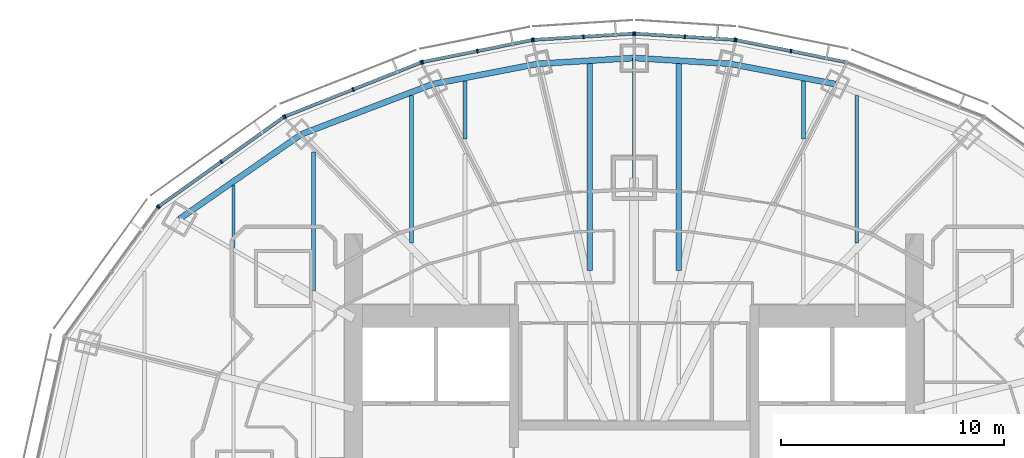
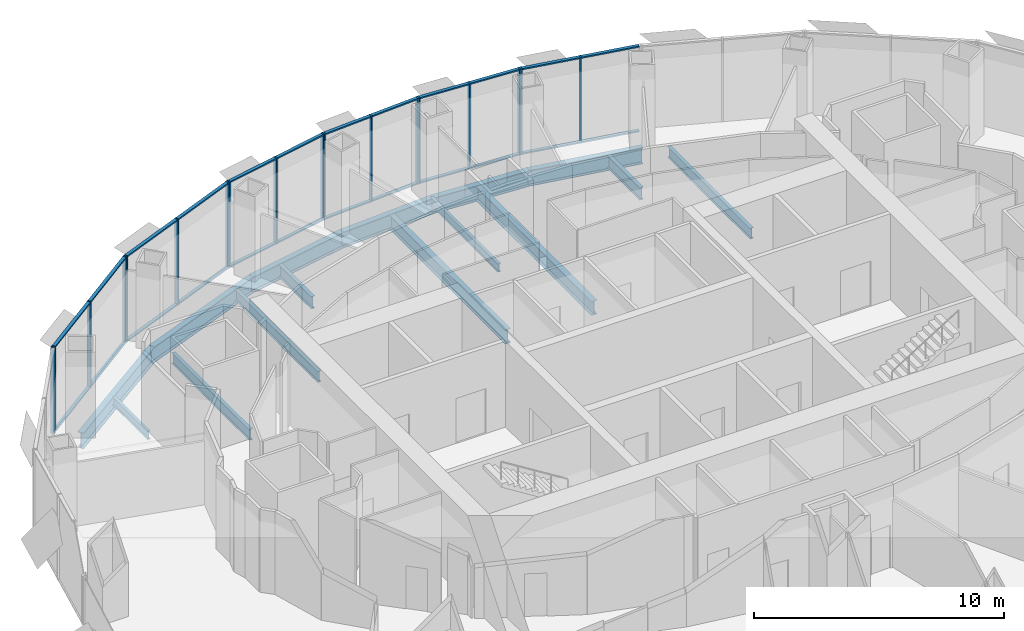
# One storey, part 8 of 19: 42 members, 15 beams, 7 elements without a shape of their own.
"""IFC4 building model written with IfcOpenShell, lengths in metres."""

from ifc_helpers import new_model, si_unit, direction, frame, origin, origin_2d, place, context, subcontext, project, spatial, rectangle, i_section, extrude, material, material_profile, profile_set, type_object, element, aggregate, save


model = new_model("IFC4")

# Units and contexts
model_context = context("Model", 3, precision=1e-05, world=origin(), true_north=direction((0.0, 1.0)))
body_context = subcontext(model_context, "Body", "Model", "MODEL_VIEW")
ifc_project = project(units=[si_unit("LENGTHUNIT", "METRE"), si_unit("AREAUNIT", "SQUARE_METRE"), si_unit("VOLUMEUNIT", "CUBIC_METRE"), si_unit("PLANEANGLEUNIT", "RADIAN"), si_unit("MASSUNIT", "GRAM", prefix="KILO")], contexts=[model_context])

# Site, building, storey
site_placement = place(None, origin())
site = spatial("IfcSite", under=ifc_project, at=site_placement, CompositionType="ELEMENT")
building_placement = place(site_placement, origin())
building = spatial("IfcBuilding", under=site, at=building_placement, Name="Lantaw Convention Tower", CompositionType="ELEMENT")
storey_placement = place(building_placement, frame((0.0, 0.0, 253.60009765625)))
storey = spatial("IfcBuildingStorey", under=building, at=storey_placement, Name="L59", CompositionType="ELEMENT", Elevation=253.60009765625)

# Beams
ifc_material_1 = material(Name="Steel ASTM A992", Category="steel")
ifc_material_profile_1 = material_profile(ifc_material_1, i_section(OverallWidth=0.2666015625, OverallDepth=0.76953125, WebThickness=0.015625, FlangeThickness=0.025390625, FilletRadius=0.0126953125, at=origin_2d()), Name="W30X132")
ifc_profile_set_1 = profile_set([ifc_material_profile_1], Name="Steel ASTM A992")
beam_type_1 = type_object("IfcBeamType", Name="Beam E W30X132", PredefinedType="SPANDREL", material=ifc_profile_set_1)
beam_1_placement = place(storey_placement, frame((9.03466796875, 17.7314453125, -0.534912109375), z_axis=(-0.981972091702, 0.189025953556, 0.0), x_axis=(-0.189025953556, -0.981972091702, 0.0)))
element("IfcBeam", 1, at=beam_1_placement, inside=storey, type_object=beam_type_1, Name="Edge beam 5", PredefinedType="SPANDREL", context=body_context, shape_type="SweptSolid", body=[
    extrude(i_section(OverallWidth=0.2666015625, OverallDepth=0.76953125, WebThickness=0.015625, FlangeThickness=0.025390625, FilletRadius=0.0126953125, at=origin_2d()), origin(), (0.0, 0.0, 1.0), 4.817626953125),
])
for number, where, z_axis, x_axis, name in (
    (2, (4.303955078125, 18.64208984375, -0.534912109375), (-0.998210730897, 0.059794119452, 0.0), (-0.059794119452, -0.998210730897, 0.0), "Edge beam 6"),
    (3, (0.0, 18.89990234375, -0.534912109375), (-0.998210730897, -0.059794119452, 0.0), (0.059794119452, -0.998210730897, 0.0), "Edge beam 7"),
):
    element("IfcBeam", number, at=place(storey_placement, frame(where, z_axis=z_axis, x_axis=x_axis)), inside=storey, type_object=beam_type_1, Name=name, PredefinedType="SPANDREL", context=body_context, shape_type="SweptSolid", body=[
        extrude(i_section(OverallWidth=0.2666015625, OverallDepth=0.76953125, WebThickness=0.015625, FlangeThickness=0.025390625, FilletRadius=0.0126953125, at=origin_2d()), origin(), (0.0, 0.0, 1.0), 4.311767578125),
    ])
beam_2_placement = place(storey_placement, frame((-4.303955078125, 18.64208984375, -0.534912109375), z_axis=(-0.981972091702, -0.189025953556, 0.0), x_axis=(0.189025953556, -0.981972091702, 0.0)))
element("IfcBeam", 4, at=beam_2_placement, inside=storey, type_object=beam_type_1, Name="Edge beam 8", PredefinedType="SPANDREL", context=body_context, shape_type="SweptSolid", body=[
    extrude(i_section(OverallWidth=0.2666015625, OverallDepth=0.76953125, WebThickness=0.015625, FlangeThickness=0.025390625, FilletRadius=0.0126953125, at=origin_2d()), origin(), (0.0, 0.0, 1.0), 4.817626953125),
])
beam_3_placement = place(storey_placement, frame((-9.03466796875, 17.7314453125, -0.534912109375), z_axis=(-0.934234988, -0.356658081637, 0.0), x_axis=(0.356658081637, -0.934234988, 0.0)))
element("IfcBeam", 5, at=beam_3_placement, inside=storey, type_object=beam_type_1, Name="Edge beam 9", PredefinedType="SPANDREL", context=body_context, shape_type="SweptSolid", body=[
    extrude(i_section(OverallWidth=0.2666015625, OverallDepth=0.76953125, WebThickness=0.015625, FlangeThickness=0.025390625, FilletRadius=0.0126953125, at=origin_2d()), origin(), (0.0, 0.0, 1.0), 6.32568359375),
])
beam_4_placement = place(storey_placement, frame((-14.9443359375, 15.475341796875, -0.534912109375), z_axis=(-0.82135329406, -0.570419815869, 0.0), x_axis=(0.570419815869, -0.82135329406, 0.0)))
element("IfcBeam", 6, at=beam_4_placement, inside=storey, type_object=beam_type_1, Name="Edge beam 10", PredefinedType="SPANDREL", context=body_context, shape_type="SweptSolid", body=[
    extrude(i_section(OverallWidth=0.2666015625, OverallDepth=0.76953125, WebThickness=0.015625, FlangeThickness=0.025390625, FilletRadius=0.0126953125, at=origin_2d()), origin(), (0.0, 0.0, 1.0), 6.67041015625),
])
ifc_material_profile_2 = material_profile(ifc_material_1, i_section(OverallWidth=0.140380859375, OverallDepth=0.40380859375, WebThickness=0.007080078125, FlangeThickness=0.01123046875, FilletRadius=0.01025390625, at=origin_2d()), Name="W16X31")
ifc_profile_set_2 = profile_set([ifc_material_profile_2], Name="Steel ASTM A992")
beam_type_2 = type_object("IfcBeamType", Name="Beam G W16X31", PredefinedType="BEAM", material=ifc_profile_set_2)
beam_5_placement = place(storey_placement, frame((0.0, 13.5, -0.35205078125), z_axis=(0.0, 1.0, 0.0), x_axis=(-1.0, 0.0, 0.0)))
element("IfcBeam", 7, at=beam_5_placement, inside=storey, type_object=beam_type_2, Name="Floor girder on ray 7", PredefinedType="BEAM", context=body_context, shape_type="SweptSolid", body=[
    extrude(i_section(OverallWidth=0.140380859375, OverallDepth=0.40380859375, WebThickness=0.007080078125, FlangeThickness=0.01123046875, FilletRadius=0.01025390625, at=origin_2d()), origin(), (0.0, 0.0, 1.0), 5.39990234375),
])
ifc_material_profile_3 = material_profile(ifc_material_1, i_section(OverallWidth=0.140380859375, OverallDepth=0.40380859375, WebThickness=0.007080078125, FlangeThickness=0.01123046875, FilletRadius=0.01025390625, at=origin_2d()), Name="W16X31")
ifc_profile_set_3 = profile_set([ifc_material_profile_3], Name="Steel ASTM A992")
beam_type_3 = type_object("IfcBeamType", Name="Beam J W16X31", PredefinedType="JOIST", material=ifc_profile_set_3)
beam_6_placement = place(storey_placement, frame((-18.0, 10.380859375, -0.35205078125), z_axis=(0.0, 1.0, 0.0), x_axis=(-1.0, 0.0, 0.0)))
element("IfcBeam", 8, at=beam_6_placement, inside=storey, type_object=beam_type_3, Name="Floor joist", PredefinedType="JOIST", context=body_context, shape_type="SweptSolid", body=[
    extrude(i_section(OverallWidth=0.140380859375, OverallDepth=0.40380859375, WebThickness=0.007080078125, FlangeThickness=0.01123046875, FilletRadius=0.01025390625, at=origin_2d()), origin(), (0.0, 0.0, 1.0), 2.81005859375),
])
ifc_material_profile_4 = material_profile(ifc_material_1, i_section(OverallWidth=0.1650390625, OverallDepth=0.52587890625, WebThickness=0.0087890625, FlangeThickness=0.011474609375, FilletRadius=0.0126953125, at=origin_2d()), Name="W21X44")
ifc_profile_set_4 = profile_set([ifc_material_profile_4], Name="Steel ASTM A992")
beam_type_4 = type_object("IfcBeamType", Name="Beam J W21X44", PredefinedType="JOIST", material=ifc_profile_set_4)
beam_7_placement = place(storey_placement, frame((-14.39990234375, 8.461181640625, -0.4130859375), z_axis=(0.0, 1.0, 0.0), x_axis=(-1.0, 0.0, 0.0)))
element("IfcBeam", 9, at=beam_7_placement, inside=storey, type_object=beam_type_4, Name="Floor joist", PredefinedType="JOIST", context=body_context, shape_type="SweptSolid", body=[
    extrude(i_section(OverallWidth=0.1650390625, OverallDepth=0.52587890625, WebThickness=0.0087890625, FlangeThickness=0.011474609375, FilletRadius=0.0126953125, at=origin_2d()), origin(), (0.0, 0.0, 1.0), 6.214599609375),
])
for number, where, z_axis, x_axis, name in (
    (10, (-10.0, 10.591064453125, -0.4130859375), (0.0, 1.0, 0.0), (-1.0, 0.0, 0.0), "Floor joist"),
    (11, (10.0, 10.591064453125, -0.4130859375), (0.0, 1.0, 0.0), (-1.0, 0.0, 0.0), "Floor joist"),
):
    element("IfcBeam", number, at=place(storey_placement, frame(where, z_axis=z_axis, x_axis=x_axis)), inside=storey, type_object=beam_type_4, Name=name, PredefinedType="JOIST", context=body_context, shape_type="SweptSolid", body=[
        extrude(i_section(OverallWidth=0.1650390625, OverallDepth=0.52587890625, WebThickness=0.0087890625, FlangeThickness=0.011474609375, FilletRadius=0.0126953125, at=origin_2d()), origin(), (0.0, 0.0, 1.0), 6.629150390625),
    ])
ifc_material_profile_5 = material_profile(ifc_material_1, i_section(OverallWidth=0.177978515625, OverallDepth=0.599365234375, WebThickness=0.010009765625, FlangeThickness=0.012939453125, FilletRadius=0.012939453125, at=origin_2d()), Name="W24X55")
ifc_profile_set_5 = profile_set([ifc_material_profile_5], Name="Steel ASTM A992")
beam_type_5 = type_object("IfcBeamType", Name="Beam J W24X55", PredefinedType="JOIST", material=ifc_profile_set_5)
for number, where, z_axis, x_axis, name in (
    (12, (-7.60009765625, 15.25439453125, -0.44970703125), (0.0, 1.0, 0.0), (-1.0, 0.0, 0.0), "Floor joist"),
    (13, (7.60009765625, 15.25439453125, -0.44970703125), (0.0, 1.0, 0.0), (-1.0, 0.0, 0.0), "Floor joist"),
):
    element("IfcBeam", number, at=place(storey_placement, frame(where, z_axis=z_axis, x_axis=x_axis)), inside=storey, type_object=beam_type_5, Name=name, PredefinedType="JOIST", context=body_context, shape_type="SweptSolid", body=[
        extrude(i_section(OverallWidth=0.177978515625, OverallDepth=0.599365234375, WebThickness=0.010009765625, FlangeThickness=0.012939453125, FilletRadius=0.012939453125, at=origin_2d()), origin(), (0.0, 0.0, 1.0), 2.617431640625),
    ])
ifc_material_profile_6 = material_profile(ifc_material_1, i_section(OverallWidth=0.25390625, OverallDepth=0.683349609375, WebThickness=0.012451171875, FlangeThickness=0.01904296875, FilletRadius=0.01513671875, at=origin_2d()), Name="W27X94")
ifc_profile_set_6 = profile_set([ifc_material_profile_6], Name="Steel ASTM A992")
beam_type_6 = type_object("IfcBeamType", Name="Beam J W27X94", PredefinedType="JOIST", material=ifc_profile_set_6)
for number, where, z_axis, x_axis, name in (
    (14, (-2.0, 9.34619140625, -0.49169921875), (0.0, 1.0, 0.0), (-1.0, 0.0, 0.0), "Floor joist"),
    (15, (2.0, 9.34619140625, -0.49169921875), (0.0, 1.0, 0.0), (-1.0, 0.0, 0.0), "Floor joist"),
):
    element("IfcBeam", number, at=place(storey_placement, frame(where, z_axis=z_axis, x_axis=x_axis)), inside=storey, type_object=beam_type_6, Name=name, PredefinedType="JOIST", context=body_context, shape_type="SweptSolid", body=[
        extrude(i_section(OverallWidth=0.25390625, OverallDepth=0.683349609375, WebThickness=0.012451171875, FlangeThickness=0.01904296875, FilletRadius=0.01513671875, at=origin_2d()), origin(), (0.0, 0.0, 1.0), 9.30029296875),
    ])

# Curtain wall, members
ifc_material_2 = material(Name="Aluminium framed curtain wall", Category="aluminium")
curtain_wall_type = type_object("IfcCurtainWallType", Name="Office curtain wall high rise, pale aluminium", PredefinedType="USERDEFINED", material=ifc_material_2)
curtain_wall_1_placement = place(storey_placement, origin())
curtain_wall_1 = element("IfcCurtainWall", 16, at=curtain_wall_1_placement, inside=storey, type_object=curtain_wall_type, Name="Office curtain wall high rise, pale aluminium L59", ObjectType="UNITISED CURTAIN WALL", PredefinedType="USERDEFINED")
ifc_material_3 = material(Name="Aluminium 6063-T6", Category="aluminium")
ifc_material_profile_7 = material_profile(ifc_material_3, rectangle(XDim=0.179931640625, YDim=0.06494140625, at=origin_2d()), Name="CW-O2 mullion 65x180")
ifc_profile_set_7 = profile_set([ifc_material_profile_7], Name="Aluminium 6063-T6")
member_type_1 = type_object("IfcMemberType", Name="CW-O2 mullion 65x180", PredefinedType="MULLION", material=ifc_profile_set_7)
member_1_placement = place(storey_placement, frame((7.042724609375, 19.212646484375, -0.150146484375), z_axis=(0.0, 0.0, 1.0), x_axis=(-0.197183095987, -0.980366679695, 0.0)))
member_1 = element("IfcMember", 17, at=member_1_placement, type_object=member_type_1, Name="CW-O2 mullion 2", PredefinedType="MULLION", context=body_context, shape_type="SweptSolid", body=[
    extrude(rectangle(XDim=0.179931640625, YDim=0.06494140625, at=origin_2d()), origin(), (0.0, 0.0, 1.0), 4.199951171875),
])
member_2_placement = place(storey_placement, frame((4.583251953125, 19.70751953125, -0.150146484375), z_axis=(0.0, 0.0, 1.0), x_axis=(-0.197183095987, -0.980366679695, 0.0)))
member_2 = element("IfcMember", 18, at=member_2_placement, type_object=member_type_1, Name="CW-O2 mullion 3", PredefinedType="MULLION", context=body_context, shape_type="SweptSolid", body=[
    extrude(rectangle(XDim=0.179931640625, YDim=0.06494140625, at=origin_2d()), origin(), (0.0, 0.0, 1.0), 4.199951171875),
])

curtain_wall_2_placement = place(storey_placement, origin())
curtain_wall_2 = element("IfcCurtainWall", 19, at=curtain_wall_2_placement, inside=storey, type_object=curtain_wall_type, Name="Office curtain wall high rise, pale aluminium L59", ObjectType="UNITISED CURTAIN WALL", PredefinedType="USERDEFINED")
member_3_placement = place(storey_placement, frame((4.518798828125, 19.7158203125, -0.150146484375), z_axis=(0.0, 0.0, 1.0), x_axis=(-0.062757983884, -0.998028774865, 0.0)))
member_3 = element("IfcMember", 20, at=member_3_placement, type_object=member_type_1, Name="CW-O2 mullion 1", PredefinedType="MULLION", context=body_context, shape_type="SweptSolid", body=[
    extrude(rectangle(XDim=0.179931640625, YDim=0.06494140625, at=origin_2d()), origin(), (0.0, 0.0, 1.0), 4.199951171875),
])
member_4_placement = place(storey_placement, frame((2.275634765625, 19.85693359375, -0.150146484375), z_axis=(0.0, 0.0, 1.0), x_axis=(-0.062757983884, -0.998028774865, 0.0)))
member_4 = element("IfcMember", 21, at=member_4_placement, type_object=member_type_1, Name="CW-O2 mullion 2", PredefinedType="MULLION", context=body_context, shape_type="SweptSolid", body=[
    extrude(rectangle(XDim=0.179931640625, YDim=0.06494140625, at=origin_2d()), origin(), (0.0, 0.0, 1.0), 4.199951171875),
])
member_5_placement = place(storey_placement, frame((0.032470703125, 19.998046875, -0.150146484375), z_axis=(0.0, 0.0, 1.0), x_axis=(-0.062757983884, -0.998028774865, 0.0)))
member_5 = element("IfcMember", 22, at=member_5_placement, type_object=member_type_1, Name="CW-O2 mullion 3", PredefinedType="MULLION", context=body_context, shape_type="SweptSolid", body=[
    extrude(rectangle(XDim=0.179931640625, YDim=0.06494140625, at=origin_2d()), origin(), (0.0, 0.0, 1.0), 4.199951171875),
])

curtain_wall_3_placement = place(storey_placement, origin())
curtain_wall_3 = element("IfcCurtainWall", 23, at=curtain_wall_3_placement, inside=storey, type_object=curtain_wall_type, Name="Office curtain wall high rise, pale aluminium L59", ObjectType="UNITISED CURTAIN WALL", PredefinedType="USERDEFINED")
member_6_placement = place(storey_placement, frame((-0.032470703125, 19.998046875, -0.150146484375), z_axis=(0.0, 0.0, 1.0), x_axis=(0.062757983884, -0.998028774865, 0.0)))
member_6 = element("IfcMember", 24, at=member_6_placement, type_object=member_type_1, Name="CW-O2 mullion 1", PredefinedType="MULLION", context=body_context, shape_type="SweptSolid", body=[
    extrude(rectangle(XDim=0.179931640625, YDim=0.06494140625, at=origin_2d()), origin(), (0.0, 0.0, 1.0), 4.199951171875),
])
member_7_placement = place(storey_placement, frame((-2.275634765625, 19.85693359375, -0.150146484375), z_axis=(0.0, 0.0, 1.0), x_axis=(0.062757983884, -0.998028774865, 0.0)))
member_7 = element("IfcMember", 25, at=member_7_placement, type_object=member_type_1, Name="CW-O2 mullion 2", PredefinedType="MULLION", context=body_context, shape_type="SweptSolid", body=[
    extrude(rectangle(XDim=0.179931640625, YDim=0.06494140625, at=origin_2d()), origin(), (0.0, 0.0, 1.0), 4.199951171875),
])
member_8_placement = place(storey_placement, frame((-4.518798828125, 19.7158203125, -0.150146484375), z_axis=(0.0, 0.0, 1.0), x_axis=(0.062757983884, -0.998028774865, 0.0)))
member_8 = element("IfcMember", 26, at=member_8_placement, type_object=member_type_1, Name="CW-O2 mullion 3", PredefinedType="MULLION", context=body_context, shape_type="SweptSolid", body=[
    extrude(rectangle(XDim=0.179931640625, YDim=0.06494140625, at=origin_2d()), origin(), (0.0, 0.0, 1.0), 4.199951171875),
])

curtain_wall_4_placement = place(storey_placement, origin())
curtain_wall_4 = element("IfcCurtainWall", 27, at=curtain_wall_4_placement, inside=storey, type_object=curtain_wall_type, Name="Office curtain wall high rise, pale aluminium L59", ObjectType="UNITISED CURTAIN WALL", PredefinedType="USERDEFINED")
member_9_placement = place(storey_placement, frame((-4.583251953125, 19.70751953125, -0.150146484375), z_axis=(0.0, 0.0, 1.0), x_axis=(0.197183095987, -0.980366679695, 0.0)))
member_9 = element("IfcMember", 28, at=member_9_placement, type_object=member_type_1, Name="CW-O2 mullion 1", PredefinedType="MULLION", context=body_context, shape_type="SweptSolid", body=[
    extrude(rectangle(XDim=0.179931640625, YDim=0.06494140625, at=origin_2d()), origin(), (0.0, 0.0, 1.0), 4.199951171875),
])
member_10_placement = place(storey_placement, frame((-7.042724609375, 19.212646484375, -0.150146484375), z_axis=(0.0, 0.0, 1.0), x_axis=(0.197183095987, -0.980366679695, 0.0)))
member_10 = element("IfcMember", 29, at=member_10_placement, type_object=member_type_1, Name="CW-O2 mullion 2", PredefinedType="MULLION", context=body_context, shape_type="SweptSolid", body=[
    extrude(rectangle(XDim=0.179931640625, YDim=0.06494140625, at=origin_2d()), origin(), (0.0, 0.0, 1.0), 4.199951171875),
])
member_11_placement = place(storey_placement, frame((-9.502197265625, 18.718017578125, -0.150146484375), z_axis=(0.0, 0.0, 1.0), x_axis=(0.197183095987, -0.980366679695, 0.0)))
member_11 = element("IfcMember", 30, at=member_11_placement, type_object=member_type_1, Name="CW-O2 mullion 3", PredefinedType="MULLION", context=body_context, shape_type="SweptSolid", body=[
    extrude(rectangle(XDim=0.179931640625, YDim=0.06494140625, at=origin_2d()), origin(), (0.0, 0.0, 1.0), 4.199951171875),
])

curtain_wall_5_placement = place(storey_placement, origin())
curtain_wall_5 = element("IfcCurtainWall", 31, at=curtain_wall_5_placement, inside=storey, type_object=curtain_wall_type, Name="Office curtain wall high rise, pale aluminium L59", ObjectType="UNITISED CURTAIN WALL", PredefinedType="USERDEFINED")
member_12_placement = place(storey_placement, frame((-9.564208984375, 18.69970703125, -0.150146484375), z_axis=(0.0, 0.0, 1.0), x_axis=(0.368162315252, -0.929761533743, 0.0)))
member_12 = element("IfcMember", 32, at=member_12_placement, type_object=member_type_1, Name="CW-O2 mullion 1", PredefinedType="MULLION", context=body_context, shape_type="SweptSolid", body=[
    extrude(rectangle(XDim=0.179931640625, YDim=0.06494140625, at=origin_2d()), origin(), (0.0, 0.0, 1.0), 4.199951171875),
])
member_13_placement = place(storey_placement, frame((-12.621337890625, 17.4892578125, -0.150146484375), z_axis=(0.0, 0.0, 1.0), x_axis=(0.368162315252, -0.929761533743, 0.0)))
member_13 = element("IfcMember", 33, at=member_13_placement, type_object=member_type_1, Name="CW-O2 mullion 2", PredefinedType="MULLION", context=body_context, shape_type="SweptSolid", body=[
    extrude(rectangle(XDim=0.179931640625, YDim=0.06494140625, at=origin_2d()), origin(), (0.0, 0.0, 1.0), 4.199951171875),
])
member_14_placement = place(storey_placement, frame((-15.67822265625, 16.278564453125, -0.150146484375), z_axis=(0.0, 0.0, 1.0), x_axis=(0.368162315252, -0.929761533743, 0.0)))
member_14 = element("IfcMember", 34, at=member_14_placement, type_object=member_type_1, Name="CW-O2 mullion 3", PredefinedType="MULLION", context=body_context, shape_type="SweptSolid", body=[
    extrude(rectangle(XDim=0.179931640625, YDim=0.06494140625, at=origin_2d()), origin(), (0.0, 0.0, 1.0), 4.199951171875),
])

curtain_wall_6_placement = place(storey_placement, origin())
curtain_wall_6 = element("IfcCurtainWall", 35, at=curtain_wall_6_placement, inside=storey, type_object=curtain_wall_type, Name="Office curtain wall high rise, pale aluminium L59", ObjectType="UNITISED CURTAIN WALL", PredefinedType="USERDEFINED")
member_15_placement = place(storey_placement, frame((-15.73486328125, 16.247802734375, -0.150146484375), z_axis=(0.0, 0.0, 1.0), x_axis=(0.581323487281, -0.813672540482, 0.0)))
member_15 = element("IfcMember", 36, at=member_15_placement, type_object=member_type_1, Name="CW-O2 mullion 1", PredefinedType="MULLION", context=body_context, shape_type="SweptSolid", body=[
    extrude(rectangle(XDim=0.179931640625, YDim=0.06494140625, at=origin_2d()), origin(), (0.0, 0.0, 1.0), 4.199951171875),
])
member_16_placement = place(storey_placement, frame((-18.543212890625, 14.241455078125, -0.150146484375), z_axis=(0.0, 0.0, 1.0), x_axis=(0.581323487281, -0.813672540482, 0.0)))
member_16 = element("IfcMember", 37, at=member_16_placement, type_object=member_type_1, Name="CW-O2 mullion 2", PredefinedType="MULLION", context=body_context, shape_type="SweptSolid", body=[
    extrude(rectangle(XDim=0.179931640625, YDim=0.06494140625, at=origin_2d()), origin(), (0.0, 0.0, 1.0), 4.199951171875),
])
member_17_placement = place(storey_placement, frame((-21.3515625, 12.23486328125, -0.150146484375), z_axis=(0.0, 0.0, 1.0), x_axis=(0.581323487281, -0.813672540482, 0.0)))
member_17 = element("IfcMember", 38, at=member_17_placement, type_object=member_type_1, Name="CW-O2 mullion 3", PredefinedType="MULLION", context=body_context, shape_type="SweptSolid", body=[
    extrude(rectangle(XDim=0.179931640625, YDim=0.06494140625, at=origin_2d()), origin(), (0.0, 0.0, 1.0), 4.199951171875),
])

# Curtain wall, member
curtain_wall_7_placement = place(storey_placement, origin())
curtain_wall_7 = element("IfcCurtainWall", 39, at=curtain_wall_7_placement, inside=storey, type_object=curtain_wall_type, Name="Office curtain wall high rise, pale aluminium L59", ObjectType="UNITISED CURTAIN WALL", PredefinedType="USERDEFINED")
member_18_placement = place(storey_placement, frame((-21.397216796875, 12.189697265625, -0.150146484375), z_axis=(0.0, 0.0, 1.0), x_axis=(0.810919559405, -0.585157643865, 0.0)))
member_18 = element("IfcMember", 40, at=member_18_placement, type_object=member_type_1, Name="CW-O2 mullion 1", PredefinedType="MULLION", context=body_context, shape_type="SweptSolid", body=[
    extrude(rectangle(XDim=0.179931640625, YDim=0.06494140625, at=origin_2d()), origin(), (0.0, 0.0, 1.0), 4.199951171875),
])
aggregate(curtain_wall_7, [member_18])

# Member
ifc_material_profile_8 = material_profile(ifc_material_3, rectangle(XDim=0.14990234375, YDim=0.06494140625, at=origin_2d()), Name="CW-O2 transom 65x150")
ifc_profile_set_8 = profile_set([ifc_material_profile_8], Name="Aluminium 6063-T6")
member_type_2 = type_object("IfcMemberType", Name="CW-O2 transom 65x150", PredefinedType="USERDEFINED", material=ifc_profile_set_8)
member_19_placement = place(storey_placement, frame((9.47021484375, 18.724365234375, -0.11767578125), z_axis=(-0.98036104319, 0.197211117829, 0.0), x_axis=(-0.197211117829, -0.98036104319, 0.0)))
member_19 = element("IfcMember", 41, at=member_19_placement, type_object=member_type_2, Name="CW-O2 transom 1.1", ObjectType="TRANSOM", PredefinedType="USERDEFINED", context=body_context, shape_type="SweptSolid", body=[
    extrude(rectangle(XDim=0.14990234375, YDim=0.06494140625, at=origin_2d()), origin(), (0.0, 0.0, 1.0), 2.44384765625),
])

member_20_placement = place(storey_placement, frame((9.47021484375, 18.724365234375, 4.017333984375), z_axis=(-0.98036104319, 0.197211117829, 0.0), x_axis=(-0.197211117829, -0.98036104319, 0.0)))
member_20 = element("IfcMember", 42, at=member_20_placement, type_object=member_type_2, Name="CW-O2 transom 1.2", ObjectType="TRANSOM", PredefinedType="USERDEFINED", context=body_context, shape_type="SweptSolid", body=[
    extrude(rectangle(XDim=0.14990234375, YDim=0.06494140625, at=origin_2d()), origin(), (0.0, 0.0, 1.0), 2.44384765625),
])

member_21_placement = place(storey_placement, frame((7.0107421875, 19.21923828125, -0.11767578125), z_axis=(-0.980380354178, 0.197115096178, 0.0), x_axis=(-0.197115096178, -0.980380354178, 0.0)))
member_21 = element("IfcMember", 43, at=member_21_placement, type_object=member_type_2, Name="CW-O2 transom 2.1", ObjectType="TRANSOM", PredefinedType="USERDEFINED", context=body_context, shape_type="SweptSolid", body=[
    extrude(rectangle(XDim=0.14990234375, YDim=0.06494140625, at=origin_2d()), origin(), (0.0, 0.0, 1.0), 2.443603515625),
])

member_22_placement = place(storey_placement, frame((7.0107421875, 19.21923828125, 4.017333984375), z_axis=(-0.980380354178, 0.197115096178, 0.0), x_axis=(-0.197115096178, -0.980380354178, 0.0)))
member_22 = element("IfcMember", 44, at=member_22_placement, type_object=member_type_2, Name="CW-O2 transom 2.2", ObjectType="TRANSOM", PredefinedType="USERDEFINED", context=body_context, shape_type="SweptSolid", body=[
    extrude(rectangle(XDim=0.14990234375, YDim=0.06494140625, at=origin_2d()), origin(), (0.0, 0.0, 1.0), 2.443603515625),
])

aggregate(curtain_wall_1, [member_1, member_2, member_19, member_20, member_21, member_22])

member_23_placement = place(storey_placement, frame((4.486328125, 19.7177734375, -0.11767578125), z_axis=(-0.998021991509, 0.062865765437, 0.0), x_axis=(-0.062865765437, -0.998021991509, 0.0)))
member_23 = element("IfcMember", 45, at=member_23_placement, type_object=member_type_2, Name="CW-O2 transom 1.1", ObjectType="TRANSOM", PredefinedType="USERDEFINED", context=body_context, shape_type="SweptSolid", body=[
    extrude(rectangle(XDim=0.14990234375, YDim=0.06494140625, at=origin_2d()), origin(), (0.0, 0.0, 1.0), 2.1826171875),
])

member_24_placement = place(storey_placement, frame((4.486328125, 19.7177734375, 4.017333984375), z_axis=(-0.998021991509, 0.062865765437, 0.0), x_axis=(-0.062865765437, -0.998021991509, 0.0)))
member_24 = element("IfcMember", 46, at=member_24_placement, type_object=member_type_2, Name="CW-O2 transom 1.2", ObjectType="TRANSOM", PredefinedType="USERDEFINED", context=body_context, shape_type="SweptSolid", body=[
    extrude(rectangle(XDim=0.14990234375, YDim=0.06494140625, at=origin_2d()), origin(), (0.0, 0.0, 1.0), 2.1826171875),
])

member_25_placement = place(storey_placement, frame((2.2431640625, 19.85888671875, -0.11767578125), z_axis=(-0.998029003644, 0.062754345555, 0.0), x_axis=(-0.062754345555, -0.998029003644, 0.0)))
member_25 = element("IfcMember", 47, at=member_25_placement, type_object=member_type_2, Name="CW-O2 transom 2.1", ObjectType="TRANSOM", PredefinedType="USERDEFINED", context=body_context, shape_type="SweptSolid", body=[
    extrude(rectangle(XDim=0.14990234375, YDim=0.06494140625, at=origin_2d()), origin(), (0.0, 0.0, 1.0), 2.1826171875),
])

member_26_placement = place(storey_placement, frame((2.2431640625, 19.85888671875, 4.017333984375), z_axis=(-0.998029003644, 0.062754345555, 0.0), x_axis=(-0.062754345555, -0.998029003644, 0.0)))
member_26 = element("IfcMember", 48, at=member_26_placement, type_object=member_type_2, Name="CW-O2 transom 2.2", ObjectType="TRANSOM", PredefinedType="USERDEFINED", context=body_context, shape_type="SweptSolid", body=[
    extrude(rectangle(XDim=0.14990234375, YDim=0.06494140625, at=origin_2d()), origin(), (0.0, 0.0, 1.0), 2.1826171875),
])

aggregate(curtain_wall_2, [member_3, member_4, member_5, member_23, member_24, member_25, member_26])

member_27_placement = place(storey_placement, frame((-0.06494140625, 19.995849609375, -0.11767578125), z_axis=(-0.998029003644, -0.062754345555, 0.0), x_axis=(0.062754345555, -0.998029003644, 0.0)))
member_27 = element("IfcMember", 49, at=member_27_placement, type_object=member_type_2, Name="CW-O2 transom 1.1", ObjectType="TRANSOM", PredefinedType="USERDEFINED", context=body_context, shape_type="SweptSolid", body=[
    extrude(rectangle(XDim=0.14990234375, YDim=0.06494140625, at=origin_2d()), origin(), (0.0, 0.0, 1.0), 2.1826171875),
])

member_28_placement = place(storey_placement, frame((-0.06494140625, 19.995849609375, 4.017333984375), z_axis=(-0.998029003644, -0.062754345555, 0.0), x_axis=(0.062754345555, -0.998029003644, 0.0)))
member_28 = element("IfcMember", 50, at=member_28_placement, type_object=member_type_2, Name="CW-O2 transom 1.2", ObjectType="TRANSOM", PredefinedType="USERDEFINED", context=body_context, shape_type="SweptSolid", body=[
    extrude(rectangle(XDim=0.14990234375, YDim=0.06494140625, at=origin_2d()), origin(), (0.0, 0.0, 1.0), 2.1826171875),
])

member_29_placement = place(storey_placement, frame((-2.30810546875, 19.85498046875, -0.11767578125), z_axis=(-0.998021991509, -0.062865765437, 0.0), x_axis=(0.062865765437, -0.998021991509, 0.0)))
member_29 = element("IfcMember", 51, at=member_29_placement, type_object=member_type_2, Name="CW-O2 transom 2.1", ObjectType="TRANSOM", PredefinedType="USERDEFINED", context=body_context, shape_type="SweptSolid", body=[
    extrude(rectangle(XDim=0.14990234375, YDim=0.06494140625, at=origin_2d()), origin(), (0.0, 0.0, 1.0), 2.1826171875),
])

member_30_placement = place(storey_placement, frame((-2.30810546875, 19.85498046875, 4.017333984375), z_axis=(-0.998021991509, -0.062865765437, 0.0), x_axis=(0.062865765437, -0.998021991509, 0.0)))
member_30 = element("IfcMember", 52, at=member_30_placement, type_object=member_type_2, Name="CW-O2 transom 2.2", ObjectType="TRANSOM", PredefinedType="USERDEFINED", context=body_context, shape_type="SweptSolid", body=[
    extrude(rectangle(XDim=0.14990234375, YDim=0.06494140625, at=origin_2d()), origin(), (0.0, 0.0, 1.0), 2.1826171875),
])

aggregate(curtain_wall_3, [member_6, member_7, member_8, member_27, member_28, member_29, member_30])

member_31_placement = place(storey_placement, frame((-4.614990234375, 19.700927734375, -0.11767578125), z_axis=(-0.980380354178, -0.197115096178, 0.0), x_axis=(0.197115096178, -0.980380354178, 0.0)))
member_31 = element("IfcMember", 53, at=member_31_placement, type_object=member_type_2, Name="CW-O2 transom 1.1", ObjectType="TRANSOM", PredefinedType="USERDEFINED", context=body_context, shape_type="SweptSolid", body=[
    extrude(rectangle(XDim=0.14990234375, YDim=0.06494140625, at=origin_2d()), origin(), (0.0, 0.0, 1.0), 2.443603515625),
])

member_32_placement = place(storey_placement, frame((-4.614990234375, 19.700927734375, 4.017333984375), z_axis=(-0.980380354178, -0.197115096178, 0.0), x_axis=(0.197115096178, -0.980380354178, 0.0)))
member_32 = element("IfcMember", 54, at=member_32_placement, type_object=member_type_2, Name="CW-O2 transom 1.2", ObjectType="TRANSOM", PredefinedType="USERDEFINED", context=body_context, shape_type="SweptSolid", body=[
    extrude(rectangle(XDim=0.14990234375, YDim=0.06494140625, at=origin_2d()), origin(), (0.0, 0.0, 1.0), 2.443603515625),
])

member_33_placement = place(storey_placement, frame((-7.074462890625, 19.206298828125, -0.11767578125), z_axis=(-0.98036104319, -0.197211117829, 0.0), x_axis=(0.197211117829, -0.98036104319, 0.0)))
member_33 = element("IfcMember", 55, at=member_33_placement, type_object=member_type_2, Name="CW-O2 transom 2.1", ObjectType="TRANSOM", PredefinedType="USERDEFINED", context=body_context, shape_type="SweptSolid", body=[
    extrude(rectangle(XDim=0.14990234375, YDim=0.06494140625, at=origin_2d()), origin(), (0.0, 0.0, 1.0), 2.44384765625),
])

member_34_placement = place(storey_placement, frame((-7.074462890625, 19.206298828125, 4.017333984375), z_axis=(-0.98036104319, -0.197211117829, 0.0), x_axis=(0.197211117829, -0.98036104319, 0.0)))
member_34 = element("IfcMember", 56, at=member_34_placement, type_object=member_type_2, Name="CW-O2 transom 2.2", ObjectType="TRANSOM", PredefinedType="USERDEFINED", context=body_context, shape_type="SweptSolid", body=[
    extrude(rectangle(XDim=0.14990234375, YDim=0.06494140625, at=origin_2d()), origin(), (0.0, 0.0, 1.0), 2.44384765625),
])

aggregate(curtain_wall_4, [member_9, member_10, member_11, member_31, member_32, member_33, member_34])

member_35_placement = place(storey_placement, frame((-9.594482421875, 18.687744140625, -0.11767578125), z_axis=(-0.929766642946, -0.368149412149, 0.0), x_axis=(0.368149412149, -0.929766642946, 0.0)))
member_35 = element("IfcMember", 57, at=member_35_placement, type_object=member_type_2, Name="CW-O2 transom 1.1", ObjectType="TRANSOM", PredefinedType="USERDEFINED", context=body_context, shape_type="SweptSolid", body=[
    extrude(rectangle(XDim=0.14990234375, YDim=0.06494140625, at=origin_2d()), origin(), (0.0, 0.0, 1.0), 3.222900390625),
])

member_36_placement = place(storey_placement, frame((-9.594482421875, 18.687744140625, 4.017333984375), z_axis=(-0.929766642946, -0.368149412149, 0.0), x_axis=(0.368149412149, -0.929766642946, 0.0)))
member_36 = element("IfcMember", 58, at=member_36_placement, type_object=member_type_2, Name="CW-O2 transom 1.2", ObjectType="TRANSOM", PredefinedType="USERDEFINED", context=body_context, shape_type="SweptSolid", body=[
    extrude(rectangle(XDim=0.14990234375, YDim=0.06494140625, at=origin_2d()), origin(), (0.0, 0.0, 1.0), 3.222900390625),
])

member_37_placement = place(storey_placement, frame((-12.651611328125, 17.477294921875, -0.11767578125), z_axis=(-0.929740712354, -0.368214893495, 0.0), x_axis=(0.368214893495, -0.929740712354, 0.0)))
member_37 = element("IfcMember", 59, at=member_37_placement, type_object=member_type_2, Name="CW-O2 transom 2.1", ObjectType="TRANSOM", PredefinedType="USERDEFINED", context=body_context, shape_type="SweptSolid", body=[
    extrude(rectangle(XDim=0.14990234375, YDim=0.06494140625, at=origin_2d()), origin(), (0.0, 0.0, 1.0), 3.22314453125),
])

member_38_placement = place(storey_placement, frame((-12.651611328125, 17.477294921875, 4.017333984375), z_axis=(-0.929740712354, -0.368214893495, 0.0), x_axis=(0.368214893495, -0.929740712354, 0.0)))
member_38 = element("IfcMember", 60, at=member_38_placement, type_object=member_type_2, Name="CW-O2 transom 2.2", ObjectType="TRANSOM", PredefinedType="USERDEFINED", context=body_context, shape_type="SweptSolid", body=[
    extrude(rectangle(XDim=0.14990234375, YDim=0.06494140625, at=origin_2d()), origin(), (0.0, 0.0, 1.0), 3.22314453125),
])

aggregate(curtain_wall_5, [member_12, member_13, member_14, member_35, member_36, member_37, member_38])

member_39_placement = place(storey_placement, frame((-15.761474609375, 16.22900390625, -0.11767578125), z_axis=(-0.813645780821, -0.581360940683, 0.0), x_axis=(0.581360940683, -0.813645780821, 0.0)))
member_39 = element("IfcMember", 61, at=member_39_placement, type_object=member_type_2, Name="CW-O2 transom 1.1", ObjectType="TRANSOM", PredefinedType="USERDEFINED", context=body_context, shape_type="SweptSolid", body=[
    extrude(rectangle(XDim=0.14990234375, YDim=0.06494140625, at=origin_2d()), origin(), (0.0, 0.0, 1.0), 3.386474609375),
])

member_40_placement = place(storey_placement, frame((-15.761474609375, 16.22900390625, 4.017333984375), z_axis=(-0.813645780821, -0.581360940683, 0.0), x_axis=(0.581360940683, -0.813645780821, 0.0)))
member_40 = element("IfcMember", 62, at=member_40_placement, type_object=member_type_2, Name="CW-O2 transom 1.2", ObjectType="TRANSOM", PredefinedType="USERDEFINED", context=body_context, shape_type="SweptSolid", body=[
    extrude(rectangle(XDim=0.14990234375, YDim=0.06494140625, at=origin_2d()), origin(), (0.0, 0.0, 1.0), 3.386474609375),
])

member_41_placement = place(storey_placement, frame((-18.56982421875, 14.222412109375, -0.11767578125), z_axis=(-0.813679882592, -0.581313210468, 0.0), x_axis=(0.581313210468, -0.813679882592, 0.0)))
member_41 = element("IfcMember", 63, at=member_41_placement, type_object=member_type_2, Name="CW-O2 transom 2.1", ObjectType="TRANSOM", PredefinedType="USERDEFINED", context=body_context, shape_type="SweptSolid", body=[
    extrude(rectangle(XDim=0.14990234375, YDim=0.06494140625, at=origin_2d()), origin(), (0.0, 0.0, 1.0), 3.38623046875),
])

member_42_placement = place(storey_placement, frame((-18.56982421875, 14.222412109375, 4.017333984375), z_axis=(-0.813679882592, -0.581313210468, 0.0), x_axis=(0.581313210468, -0.813679882592, 0.0)))
member_42 = element("IfcMember", 64, at=member_42_placement, type_object=member_type_2, Name="CW-O2 transom 2.2", ObjectType="TRANSOM", PredefinedType="USERDEFINED", context=body_context, shape_type="SweptSolid", body=[
    extrude(rectangle(XDim=0.14990234375, YDim=0.06494140625, at=origin_2d()), origin(), (0.0, 0.0, 1.0), 3.38623046875),
])

aggregate(curtain_wall_6, [member_15, member_16, member_17, member_39, member_40, member_41, member_42])

save(model, "model.ifc")
